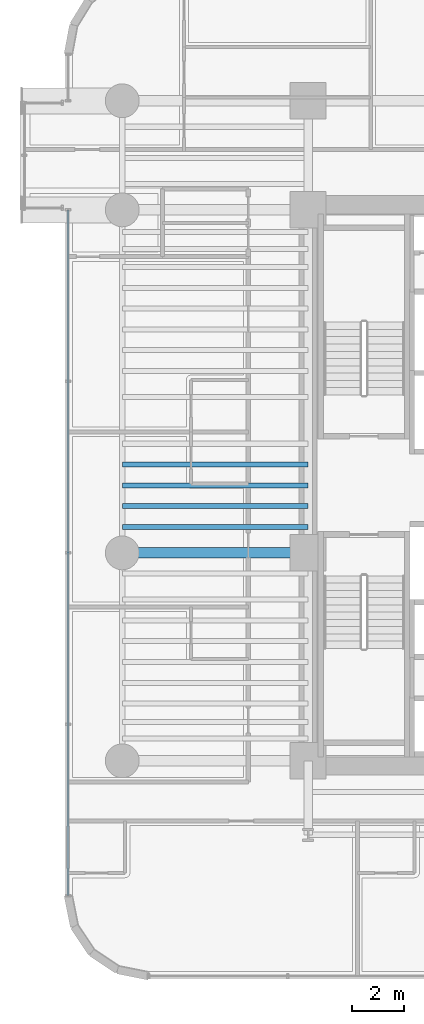
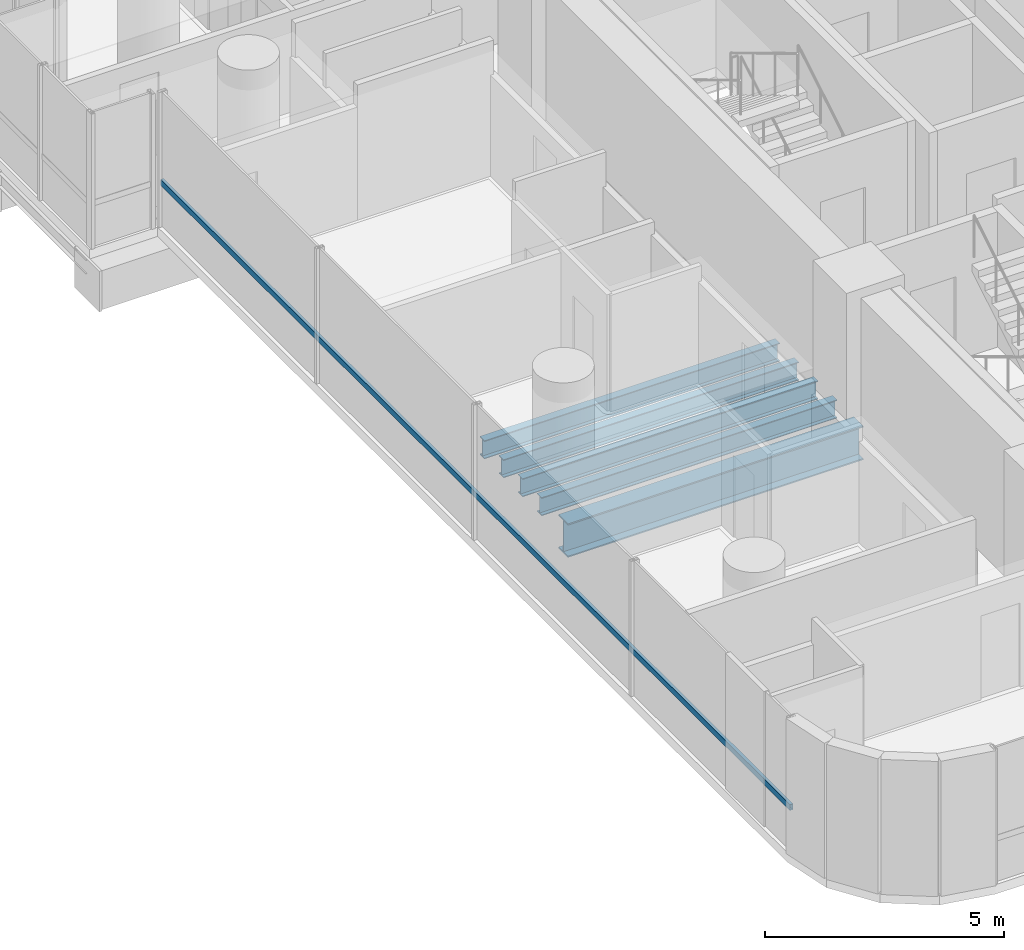
# One storey, part 9 of 42: 5 beams, 1 member, 1 element without a shape of its own.
"""IFC4 building model written with IfcOpenShell, lengths in metres."""

from ifc_helpers import new_model, si_unit, direction, frame, origin, origin_2d, place, context, subcontext, project, spatial, hollow_rectangle, i_section, extrude, source, transform, mapped, material, material_profile, profile_set, type_object, element, aggregate, save


model = new_model("IFC4")

# Units and contexts
model_context = context("Model", 3, precision=1e-05, world=origin(), true_north=direction((0.0, 1.0)))
body_context = subcontext(model_context, "Body", "Model", "MODEL_VIEW")
ifc_project = project(units=[si_unit("LENGTHUNIT", "METRE"), si_unit("AREAUNIT", "SQUARE_METRE"), si_unit("VOLUMEUNIT", "CUBIC_METRE"), si_unit("PLANEANGLEUNIT", "RADIAN"), si_unit("MASSUNIT", "GRAM", prefix="KILO")], contexts=[model_context])

# Site, building, storey
site_placement = place(None, origin())
site = spatial("IfcSite", under=ifc_project, at=site_placement, CompositionType="ELEMENT")
building_placement = place(site_placement, origin())
building = spatial("IfcBuilding", under=site, at=building_placement, Name="Valdorenza Pilgrim Sanctuary Tower", CompositionType="ELEMENT")
storey_placement = place(building_placement, frame((0.0, 0.0, 55.60009765625)))
storey = spatial("IfcBuildingStorey", under=building, at=storey_placement, Name="L13", CompositionType="ELEMENT", Elevation=55.60009765625)

# Beams
ifc_material_1 = material(Name="Steel ASTM A992 Grade 50", Category="steel")
ifc_material_profile_1 = material_profile(ifc_material_1, i_section(OverallWidth=0.193115234375, OverallDepth=0.466064453125, WebThickness=0.011474609375, FlangeThickness=0.01904296875, at=origin_2d()), Name="W18X65")
ifc_profile_set_1 = profile_set([ifc_material_profile_1], Name="Steel ASTM A992 Grade 50")
beam_type_1 = type_object("IfcBeamType", Name="STR-BM-JST-W18A", PredefinedType="JOIST", material=ifc_profile_set_1)
shared_shape_1 = source(origin(), body_context, "Body", "SweptSolid", [
    extrude(i_section(OverallWidth=0.193115234375, OverallDepth=0.466064453125, WebThickness=0.011474609375, FlangeThickness=0.01904296875, at=origin_2d()), origin(), (0.0, 0.0, 1.0), 7.150146484375),
])
for number, where, z_axis, x_axis, name in (
    (1, (-29.800048828125, -1.60009765625, -0.47314453125), (1.0, 0.0, 0.0), (0.0, 1.0, 0.0), "L13 Composite Floor Joist JST-WA-10"),
    (2, (-29.800048828125, -0.800048828125, -0.47314453125), (1.0, 0.0, 0.0), (0.0, 1.0, 0.0), "L13 Composite Floor Joist JST-WA-11"),
    (3, (-29.800048828125, 0.0, -0.47314453125), (1.0, 0.0, 0.0), (0.0, 1.0, 0.0), "L13 Composite Floor Joist JST-WA-12"),
    (4, (-29.800048828125, 0.800048828125, -0.47314453125), (1.0, 0.0, 0.0), (0.0, 1.0, 0.0), "L13 Composite Floor Joist JST-WA-13"),
):
    element("IfcBeam", number, at=place(storey_placement, frame(where, z_axis=z_axis, x_axis=x_axis)), inside=storey, type_object=beam_type_1, Name=name, PredefinedType="JOIST", context=body_context, shape_type="MappedRepresentation", body=[
        mapped(shared_shape_1, transform((0.0, 0.0, 0.0), x_axis=(1.0, 0.0, 0.0), y_axis=(0.0, 1.0, 0.0), z_axis=(0.0, 0.0, 1.0), scale=1.0)),
    ])
ifc_material_profile_2 = material_profile(ifc_material_1, i_section(OverallWidth=0.39990234375, OverallDepth=0.862060546875, WebThickness=0.019775390625, FlangeThickness=0.032470703125, at=origin_2d()), Name="W33X221")
ifc_profile_set_2 = profile_set([ifc_material_profile_2], Name="Steel ASTM A992 Grade 50")
beam_type_2 = type_object("IfcBeamType", Name="STR-BM-GRD-W33", PredefinedType="BEAM", material=ifc_profile_set_2)
shared_shape_2 = source(origin(), body_context, "Body", "SweptSolid", [
    extrude(i_section(OverallWidth=0.39990234375, OverallDepth=0.862060546875, WebThickness=0.019775390625, FlangeThickness=0.032470703125, at=origin_2d()), origin(), (0.0, 0.0, 1.0), 7.150146484375),
])
beam_placement = place(storey_placement, frame((-29.800048828125, -2.60009765625, -0.671142578125), z_axis=(1.0, 0.0, 0.0), x_axis=(0.0, 1.0, 0.0)))
element("IfcBeam", 5, at=beam_placement, inside=storey, type_object=beam_type_2, Name="L13 Floor Girder WA-XW-M0", PredefinedType="BEAM", context=body_context, shape_type="MappedRepresentation", body=[
    mapped(shared_shape_2, transform((0.0, 0.0, 0.0), x_axis=(1.0, 0.0, 0.0), y_axis=(0.0, 1.0, 0.0), z_axis=(0.0, 0.0, 1.0), scale=1.0)),
])

# Curtain wall, member
ifc_material_2 = material(Name="Curtain-wall IGU glazing", Category="glass")
curtain_wall_type = type_object("IfcCurtainWallType", Name="CW-SYS-02", PredefinedType="NOTDEFINED", material=ifc_material_2)
curtain_wall_placement = place(storey_placement, origin())
curtain_wall = element("IfcCurtainWall", 6, at=curtain_wall_placement, inside=storey, type_object=curtain_wall_type, Name="L13 Curtain Wall CW-L13-1-1S1", PredefinedType="NOTDEFINED")
ifc_material_3 = material(Name="Anodised aluminium AW-6060", Category="aluminium")
ifc_material_profile_3 = material_profile(ifc_material_3, hollow_rectangle(XDim=0.074951171875, YDim=0.14990234375, WallThickness=0.00390625, at=origin_2d()), Name="ALU-T 150x75x4")
ifc_profile_set_3 = profile_set([ifc_material_profile_3], Name="Anodised aluminium AW-6060")
member_type = type_object("IfcMemberType", Name="CW-TRN-02", PredefinedType="USERDEFINED", material=ifc_profile_set_3)
shared_shape_3 = source(origin(), body_context, "Body", "SweptSolid", [
    extrude(hollow_rectangle(XDim=0.074951171875, YDim=0.14990234375, WallThickness=0.00390625, at=origin_2d()), origin(), (0.0, 0.0, 1.0), 26.389404296875),
])
member_placement = place(storey_placement, frame((-31.889892578125, -15.789306640625, 1.119873046875), z_axis=(0.0, 1.0, 0.0), x_axis=(-1.0, 0.0, 0.0)))
member = element("IfcMember", 7, at=member_placement, type_object=member_type, Name="CW-L13-1-1S1 Transom 1", ObjectType="TRANSOM", PredefinedType="USERDEFINED", context=body_context, shape_type="MappedRepresentation", body=[
    mapped(shared_shape_3, transform((0.0, 0.0, 0.0), x_axis=(1.0, 0.0, 0.0), y_axis=(0.0, 1.0, 0.0), z_axis=(0.0, 0.0, 1.0), scale=1.0)),
])
aggregate(curtain_wall, [member])

save(model, "model.ifc")
